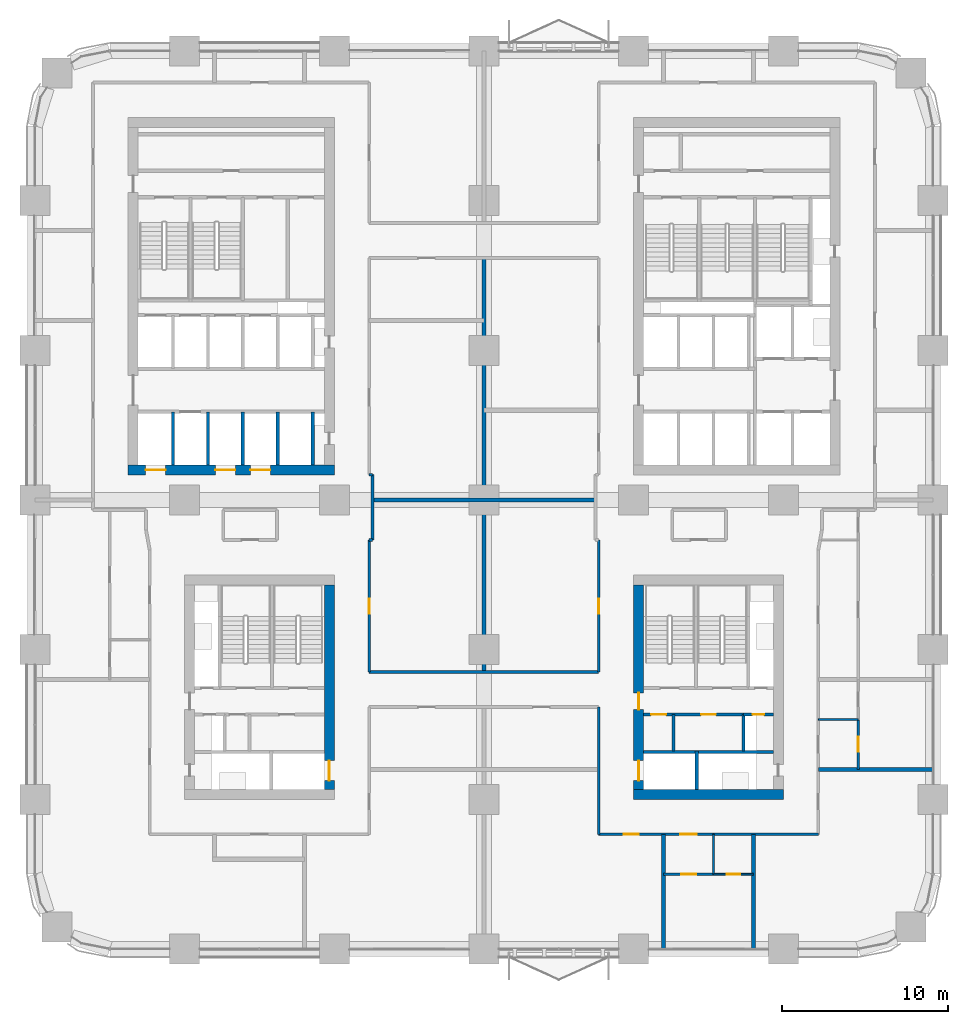
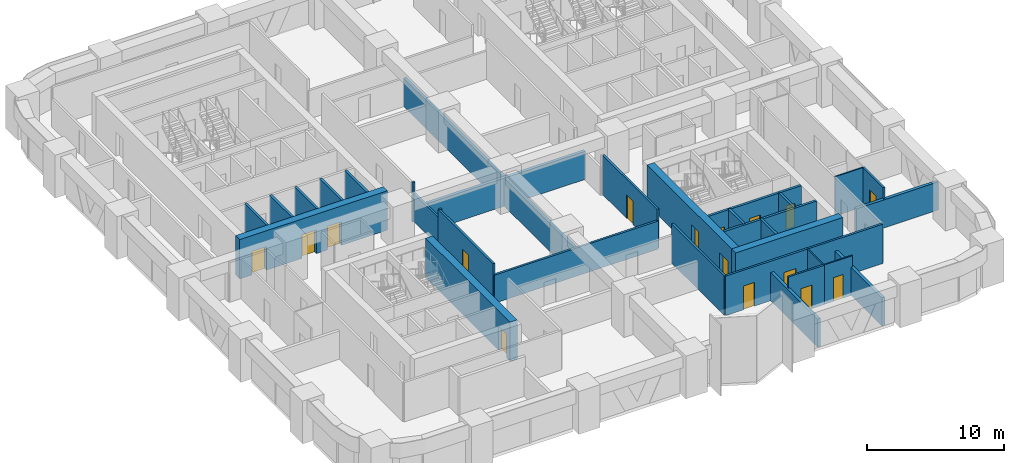
# One storey, part 14 of 22: 33 walls, 16 doors, 16 openings.
"""IFC4 building model written with IfcOpenShell, lengths in metres."""

from ifc_helpers import new_model, si_unit, direction, frame, frame_2d, origin, place, context, subcontext, project, spatial, rectangle, extrude, material, layer, layer_set, type_object, element, fill, save


model = new_model("IFC4")

# Units and contexts
model_context = context("Model", 3, precision=1e-05, world=origin(), true_north=direction((0.0, 1.0)))
body_context = subcontext(model_context, "Body", "Model", "MODEL_VIEW")
ifc_project = project(units=[si_unit("LENGTHUNIT", "METRE"), si_unit("AREAUNIT", "SQUARE_METRE"), si_unit("VOLUMEUNIT", "CUBIC_METRE"), si_unit("PLANEANGLEUNIT", "RADIAN"), si_unit("MASSUNIT", "GRAM", prefix="KILO")], contexts=[model_context])

# Site, building, storey
site_placement = place(None, origin())
site = spatial("IfcSite", under=ifc_project, at=site_placement, CompositionType="ELEMENT")
building_placement = place(site_placement, origin())
building = spatial("IfcBuilding", under=site, at=building_placement, Name="Tessera Arch", CompositionType="ELEMENT")
storey_placement = place(building_placement, frame((0.0, 0.0, 53.800048828125)))
storey = spatial("IfcBuildingStorey", under=building, at=storey_placement, Name="L11", CompositionType="ELEMENT", Elevation=53.800048828125)

# Wall
ifc_material_1 = material(Name="Gypsum board on steel stud", Category="steel")
ifc_layer_1 = layer(ifc_material_1, 0.125)
ifc_layer_set_1 = layer_set([ifc_layer_1], Name="Core partition 125 EI 60")
wall_type_1 = type_object("IfcWallType", Name="Core partition 125 EI 60", PredefinedType="PARTITIONING", material=ifc_layer_set_1)
wall_1_placement = place(storey_placement, frame((38.39990234375, 11.89990234375, 0.0), z_axis=(0.0, 0.0, 1.0), x_axis=(0.0, 1.0, 0.0)))
element("IfcWall", 1, at=wall_1_placement, inside=storey, type_object=wall_type_1, Name="L11 C3 partition wall 1", PredefinedType="PARTITIONING", context=body_context, shape_type="SweptSolid", body=[
    extrude(rectangle(XDim=2.2001953125, YDim=0.199951171875, at=frame_2d((1.10009765625, 0.0))), origin(), (0.0, 0.0, 1.0), 3.5),
])

# Wall, openings, doors
wall_2_placement = place(storey_placement, frame((36.60009765625, 14.10009765625, 0.0), z_axis=(0.0, 0.0, 1.0), x_axis=(1.0, 0.0, 0.0)))
wall_2 = element("IfcWall", 2, at=wall_2_placement, inside=storey, type_object=wall_type_1, Name="L11 C3 partition wall 9", PredefinedType="PARTITIONING", context=body_context, shape_type="SweptSolid", body=[
    extrude(rectangle(XDim=6.0, YDim=0.199951171875, at=frame_2d((3.0, 0.0))), origin(), (0.0, 0.0, 1.0), 3.5),
])
opening_1_placement = place(wall_2_placement, frame((0.449951171875, 0.0, 0.0)))
opening_1 = element("IfcOpeningElement", 3, at=opening_1_placement, cuts=wall_2, Name="Opening L11-C38", PredefinedType="OPENING", context=body_context, shape_type="SweptSolid", body=[
    extrude(rectangle(XDim=0.89990234375, YDim=2.10009765625, at=frame_2d((0.449951171875, 1.050048828125))), frame((0.0, 0.10986328125, 0.0), z_axis=(0.0, -1.0, 0.0), x_axis=(1.0, 0.0, 0.0)), (0.0, 0.0, 1.0), 0.219970703125),
])
opening_2_placement = place(wall_2_placement, frame((3.449951171875, 0.0, 0.0)))
opening_2 = element("IfcOpeningElement", 4, at=opening_2_placement, cuts=wall_2, Name="Opening L11-C39", PredefinedType="OPENING", context=body_context, shape_type="SweptSolid", body=[
    extrude(rectangle(XDim=0.89990234375, YDim=2.10009765625, at=frame_2d((0.449951171875, 1.050048828125))), frame((0.0, 0.10986328125, 0.0), z_axis=(0.0, -1.0, 0.0), x_axis=(1.0, 0.0, 0.0)), (0.0, 0.0, 1.0), 0.219970703125),
])
ifc_material_2 = material(Name="Steel door leaf", Category="steel")
door_type_1 = type_object("IfcDoorType", Name="Store door FD30S 900 x 2100", OperationType="SINGLE_SWING_LEFT", PredefinedType="DOOR", material=ifc_material_2)
door_1_placement = place(opening_1_placement, origin())
door_1 = element("IfcDoor", 5, at=door_1_placement, inside=storey, type_object=door_type_1, Name="L11 C3 door 8 C38 type D09", OperationType="SINGLE_SWING_LEFT", OverallHeight=2.10009765625, OverallWidth=0.89990234375, PredefinedType="DOOR", context=body_context, shape_type="SweptSolid", body=[
    extrude(rectangle(XDim=0.89990234375, YDim=2.10009765625, at=frame_2d((0.449951171875, 1.050048828125))), frame((0.0, 0.02490234375, 0.0), z_axis=(0.0, -1.0, 0.0), x_axis=(1.0, 0.0, 0.0)), (0.0, 0.0, 1.0), 0.050048828125),
])
fill(opening_1, door_1)
door_2_placement = place(opening_2_placement, origin())
door_2 = element("IfcDoor", 6, at=door_2_placement, inside=storey, type_object=door_type_1, Name="L11 C3 door 9 C39 type D09", OperationType="SINGLE_SWING_RIGHT", OverallHeight=2.10009765625, OverallWidth=0.89990234375, PredefinedType="DOOR", context=body_context, shape_type="SweptSolid", body=[
    extrude(rectangle(XDim=0.89990234375, YDim=2.10009765625, at=frame_2d((0.449951171875, 1.050048828125))), frame((0.0, 0.02490234375, 0.0), z_axis=(0.0, -1.0, 0.0), x_axis=(1.0, 0.0, 0.0)), (0.0, 0.0, 1.0), 0.050048828125),
])
fill(opening_2, door_2)

ifc_material_3 = material(Name="Concrete C70/85", Category="concrete")
ifc_layer_2 = layer(ifc_material_3, 0.60009765625)
ifc_layer_set_2 = layer_set([ifc_layer_2], Name="Core shell wall 600 C70-85")
wall_type_2 = type_object("IfcWallType", Name="Core shell wall 600 C70-85", PredefinedType="SHEAR", material=ifc_layer_set_2)
wall_3_placement = place(storey_placement, frame((5.60009765625, 28.800048828125, 0.0), z_axis=(0.0, 0.0, 1.0), x_axis=(1.0, 0.0, 0.0)))
wall_3 = element("IfcWall", 7, at=wall_3_placement, inside=storey, type_object=wall_type_2, Name="L11 C2 core wall S", PredefinedType="SHEAR", context=body_context, shape_type="SweptSolid", body=[
    extrude(rectangle(XDim=12.39990234375, YDim=0.60009765625, at=frame_2d((6.199951171875, 0.0))), origin(), (0.0, 0.0, 1.0), 3.5),
])
opening_3_placement = place(wall_3_placement, frame((1.050048828125, 0.0, 0.0)))
opening_3 = element("IfcOpeningElement", 8, at=opening_3_placement, cuts=wall_3, Name="Opening L11-C14", PredefinedType="OPENING", context=body_context, shape_type="SweptSolid", body=[
    extrude(rectangle(XDim=1.199951171875, YDim=2.10009765625, at=frame_2d((0.60009765625, 1.050048828125))), frame((0.0, 0.31005859375, 0.0), z_axis=(0.0, -1.0, 0.0), x_axis=(1.0, 0.0, 0.0)), (0.0, 0.0, 1.0), 0.6201171875),
])
opening_4_placement = place(wall_3_placement, frame((5.25, 0.0, 0.0)))
opening_4 = element("IfcOpeningElement", 9, at=opening_4_placement, cuts=wall_3, Name="Opening L11-C16", PredefinedType="OPENING", context=body_context, shape_type="SweptSolid", body=[
    extrude(rectangle(XDim=1.199951171875, YDim=2.10009765625, at=frame_2d((0.60009765625, 1.050048828125))), frame((0.0, 0.31005859375, 0.0), z_axis=(0.0, -1.0, 0.0), x_axis=(1.0, 0.0, 0.0)), (0.0, 0.0, 1.0), 0.6201171875),
])
opening_5_placement = place(wall_3_placement, frame((7.35009765625, 0.0, 0.0)))
opening_5 = element("IfcOpeningElement", 10, at=opening_5_placement, cuts=wall_3, Name="Opening L11-C17", PredefinedType="OPENING", context=body_context, shape_type="SweptSolid", body=[
    extrude(rectangle(XDim=1.199951171875, YDim=2.10009765625, at=frame_2d((0.60009765625, 1.050048828125))), frame((0.0, 0.31005859375, 0.0), z_axis=(0.0, -1.0, 0.0), x_axis=(1.0, 0.0, 0.0)), (0.0, 0.0, 1.0), 0.6201171875),
])
ifc_material_4 = material(Name="Stainless steel AISI 304", Category="steel")
door_type_2 = type_object("IfcDoorType", Name="Sliding landing door 1200 x 2100", OperationType="SLIDING_TO_LEFT", PredefinedType="DOOR", material=ifc_material_4)
door_3_placement = place(opening_3_placement, origin())
door_3 = element("IfcDoor", 11, at=door_3_placement, inside=storey, type_object=door_type_2, Name="L11 LR1 lift landing door C14 type LD", OperationType="SLIDING_TO_LEFT", OverallHeight=2.10009765625, OverallWidth=1.199951171875, PredefinedType="DOOR", context=body_context, shape_type="SweptSolid", body=[
    extrude(rectangle(XDim=1.199951171875, YDim=2.10009765625, at=frame_2d((0.60009765625, 1.050048828125))), frame((0.0, 0.02490234375, 0.0), z_axis=(0.0, -1.0, 0.0), x_axis=(1.0, 0.0, 0.0)), (0.0, 0.0, 1.0), 0.050048828125),
])
fill(opening_3, door_3)
door_4_placement = place(opening_4_placement, origin())
door_4 = element("IfcDoor", 12, at=door_4_placement, inside=storey, type_object=door_type_2, Name="L11 LR3 lift landing door C16 type LD", OperationType="SLIDING_TO_LEFT", OverallHeight=2.10009765625, OverallWidth=1.199951171875, PredefinedType="DOOR", context=body_context, shape_type="SweptSolid", body=[
    extrude(rectangle(XDim=1.199951171875, YDim=2.10009765625, at=frame_2d((0.60009765625, 1.050048828125))), frame((0.0, 0.02490234375, 0.0), z_axis=(0.0, -1.0, 0.0), x_axis=(1.0, 0.0, 0.0)), (0.0, 0.0, 1.0), 0.050048828125),
])
fill(opening_4, door_4)
door_5_placement = place(opening_5_placement, origin())
door_5 = element("IfcDoor", 13, at=door_5_placement, inside=storey, type_object=door_type_2, Name="L11 LR4 lift landing door C17 type LD", OperationType="SLIDING_TO_LEFT", OverallHeight=2.10009765625, OverallWidth=1.199951171875, PredefinedType="DOOR", context=body_context, shape_type="SweptSolid", body=[
    extrude(rectangle(XDim=1.199951171875, YDim=2.10009765625, at=frame_2d((0.60009765625, 1.050048828125))), frame((0.0, 0.02490234375, 0.0), z_axis=(0.0, -1.0, 0.0), x_axis=(1.0, 0.0, 0.0)), (0.0, 0.0, 1.0), 0.050048828125),
])
fill(opening_5, door_5)

# Wall
wall_4_placement = place(storey_placement, frame((36.0, 9.300048828125, 0.0), z_axis=(0.0, 0.0, 1.0), x_axis=(1.0, 0.0, 0.0)))
element("IfcWall", 14, at=wall_4_placement, inside=storey, type_object=wall_type_2, Name="L11 C3 core wall S", PredefinedType="SHEAR", context=body_context, shape_type="SweptSolid", body=[
    extrude(rectangle(XDim=9.0, YDim=0.60009765625, at=frame_2d((4.5, 0.0))), origin(), (0.0, 0.0, 1.0), 3.5),
])

# Wall, openings, doors
wall_5_placement = place(storey_placement, frame((36.300048828125, 9.60009765625, 0.0), z_axis=(0.0, 0.0, 1.0), x_axis=(0.0, 1.0, 0.0)))
wall_5 = element("IfcWall", 15, at=wall_5_placement, inside=storey, type_object=wall_type_2, Name="L11 C3 core wall W", PredefinedType="SHEAR", context=body_context, shape_type="SweptSolid", body=[
    extrude(rectangle(XDim=12.2998046875, YDim=0.60009765625, at=frame_2d((6.14990234375, 0.0))), origin(), (0.0, 0.0, 1.0), 3.5),
])
opening_6_placement = place(wall_5_placement, frame((0.52490234375, 0.0, 0.0)))
opening_6 = element("IfcOpeningElement", 16, at=opening_6_placement, cuts=wall_5, Name="Opening L11-C31", PredefinedType="OPENING", context=body_context, shape_type="SweptSolid", body=[
    extrude(rectangle(XDim=1.199951171875, YDim=2.10009765625, at=frame_2d((0.60009765625, 1.050048828125))), frame((0.0, 0.31005859375, 0.0), z_axis=(0.0, -1.0, 0.0), x_axis=(1.0, 0.0, 0.0)), (0.0, 0.0, 1.0), 0.6201171875),
])
opening_7_placement = place(wall_5_placement, frame((4.800048828125, 0.0, 0.0)))
opening_7 = element("IfcOpeningElement", 17, at=opening_7_placement, cuts=wall_5, Name="Opening L11-C37", PredefinedType="OPENING", context=body_context, shape_type="SweptSolid", body=[
    extrude(rectangle(XDim=1.0, YDim=2.10009765625, at=frame_2d((0.5, 1.050048828125))), frame((0.0, 0.31005859375, 0.0), z_axis=(0.0, -1.0, 0.0), x_axis=(1.0, 0.0, 0.0)), (0.0, 0.0, 1.0), 0.6201171875),
])
ifc_material_5 = material(Name="Steel door leaf", Category="steel")
door_type_3 = type_object("IfcDoorType", Name="Corridor door FD60 1000 x 2100", OperationType="SINGLE_SWING_LEFT", PredefinedType="DOOR", material=ifc_material_5)
door_6_placement = place(opening_7_placement, origin())
door_6 = element("IfcDoor", 18, at=door_6_placement, inside=storey, type_object=door_type_3, Name="L11 C3 door 7 C37 type D12", OperationType="SINGLE_SWING_LEFT", OverallHeight=2.10009765625, OverallWidth=1.0, PredefinedType="DOOR", context=body_context, shape_type="SweptSolid", body=[
    extrude(rectangle(XDim=1.0, YDim=2.10009765625, at=frame_2d((0.5, 1.050048828125))), frame((0.0, 0.02490234375, 0.0), z_axis=(0.0, -1.0, 0.0), x_axis=(1.0, 0.0, 0.0)), (0.0, 0.0, 1.0), 0.050048828125),
])
fill(opening_7, door_6)
door_7_placement = place(opening_6_placement, origin())
door_7 = element("IfcDoor", 19, at=door_7_placement, inside=storey, type_object=door_type_2, Name="L11 SV1 lift landing door C31 type LD", OperationType="SLIDING_TO_LEFT", OverallHeight=2.10009765625, OverallWidth=1.199951171875, PredefinedType="DOOR", context=body_context, shape_type="SweptSolid", body=[
    extrude(rectangle(XDim=1.199951171875, YDim=2.10009765625, at=frame_2d((0.60009765625, 1.050048828125))), frame((0.0, 0.02490234375, 0.0), z_axis=(0.0, -1.0, 0.0), x_axis=(1.0, 0.0, 0.0)), (0.0, 0.0, 1.0), 0.050048828125),
])
fill(opening_6, door_7)

# Wall, opening, door
wall_6_placement = place(storey_placement, frame((17.699951171875, 9.60009765625, 0.0), z_axis=(0.0, 0.0, 1.0), x_axis=(0.0, 1.0, 0.0)))
wall_6 = element("IfcWall", 20, at=wall_6_placement, inside=storey, type_object=wall_type_2, Name="L11 C4 core wall E", PredefinedType="SHEAR", context=body_context, shape_type="SweptSolid", body=[
    extrude(rectangle(XDim=12.2998046875, YDim=0.60009765625, at=frame_2d((6.14990234375, 0.0))), origin(), (0.0, 0.0, 1.0), 3.5),
])
opening_8_placement = place(wall_6_placement, frame((0.52490234375, 0.0, 0.0)))
opening_8 = element("IfcOpeningElement", 21, at=opening_8_placement, cuts=wall_6, Name="Opening L11-C40", PredefinedType="OPENING", context=body_context, shape_type="SweptSolid", body=[
    extrude(rectangle(XDim=1.199951171875, YDim=2.10009765625, at=frame_2d((0.60009765625, 1.050048828125))), frame((0.0, 0.31005859375, 0.0), z_axis=(0.0, -1.0, 0.0), x_axis=(1.0, 0.0, 0.0)), (0.0, 0.0, 1.0), 0.6201171875),
])
door_8_placement = place(opening_8_placement, origin())
door_8 = element("IfcDoor", 22, at=door_8_placement, inside=storey, type_object=door_type_2, Name="L11 SV3 lift landing door C40 type LD", OperationType="SLIDING_TO_LEFT", OverallHeight=2.10009765625, OverallWidth=1.199951171875, PredefinedType="DOOR", context=body_context, shape_type="SweptSolid", body=[
    extrude(rectangle(XDim=1.199951171875, YDim=2.10009765625, at=frame_2d((0.60009765625, 1.050048828125))), frame((0.0, 0.02490234375, 0.0), z_axis=(0.0, -1.0, 0.0), x_axis=(1.0, 0.0, 0.0)), (0.0, 0.0, 1.0), 0.050048828125),
])
fill(opening_8, door_8)

# Wall, openings, doors
ifc_material_6 = material(Name="Gypsum board on deep steel stud with mineral wool", Category="steel")
ifc_layer_3 = layer(ifc_material_6, 0.175048828125)
ifc_layer_set_3 = layer_set([ifc_layer_3], Name="Corridor wall 175 EI 60")
wall_type_3 = type_object("IfcWallType", Name="Corridor wall 175 EI 60", PredefinedType="PARTITIONING", material=ifc_layer_set_3)
wall_7_placement = place(storey_placement, frame((33.89990234375, 6.89990234375, 0.0), z_axis=(0.0, 0.0, 1.0), x_axis=(1.0, 0.0, 0.0)))
wall_7 = element("IfcWall", 23, at=wall_7_placement, inside=storey, type_object=wall_type_3, Name="L11 partition 2", PredefinedType="PARTITIONING", context=body_context, shape_type="SweptSolid", body=[
    extrude(rectangle(XDim=13.2001953125, YDim=0.175048828125, at=frame_2d((6.60009765625, 0.0))), origin(), (0.0, 0.0, 1.0), 3.5),
])
opening_9_placement = place(wall_7_placement, frame((4.89990234375, 0.0, 0.0)))
opening_9 = element("IfcOpeningElement", 24, at=opening_9_placement, cuts=wall_7, Name="Opening L11-D001", PredefinedType="OPENING", context=body_context, shape_type="SweptSolid", body=[
    extrude(rectangle(XDim=1.0, YDim=2.10009765625, at=frame_2d((0.5, 1.050048828125))), frame((0.0, 0.097412109375, 0.0), z_axis=(0.0, -1.0, 0.0), x_axis=(1.0, 0.0, 0.0)), (0.0, 0.0, 1.0), 0.195068359375),
])
opening_10_placement = place(wall_7_placement, frame((1.5, 0.0, 0.0)))
opening_10 = element("IfcOpeningElement", 25, at=opening_10_placement, cuts=wall_7, Name="Opening L11-D005", PredefinedType="OPENING", context=body_context, shape_type="SweptSolid", body=[
    extrude(rectangle(XDim=0.89990234375, YDim=2.10009765625, at=frame_2d((0.449951171875, 1.050048828125))), frame((0.0, 0.097412109375, 0.0), z_axis=(0.0, -1.0, 0.0), x_axis=(1.0, 0.0, 0.0)), (0.0, 0.0, 1.0), 0.195068359375),
])
ifc_material_7 = material(Name="Fire-rated door leaf")
door_type_4 = type_object("IfcDoorType", Name="Entrance door FD30S 1000 x 2100", OperationType="SINGLE_SWING_LEFT", PredefinedType="DOOR", material=ifc_material_7)
door_9_placement = place(opening_9_placement, origin())
door_9 = element("IfcDoor", 26, at=door_9_placement, inside=storey, type_object=door_type_4, Name="L11 door D001 type D03", OperationType="SINGLE_SWING_RIGHT", OverallHeight=2.10009765625, OverallWidth=1.0, PredefinedType="DOOR", context=body_context, shape_type="SweptSolid", body=[
    extrude(rectangle(XDim=1.0, YDim=2.10009765625, at=frame_2d((0.5, 1.050048828125))), frame((0.0, 0.02490234375, 0.0), z_axis=(0.0, -1.0, 0.0), x_axis=(1.0, 0.0, 0.0)), (0.0, 0.0, 1.0), 0.050048828125),
])
fill(opening_9, door_9)
ifc_material_8 = material(Name="Timber door leaf", Category="wood")
door_type_5 = type_object("IfcDoorType", Name="Room door 900 x 2100", OperationType="SINGLE_SWING_LEFT", PredefinedType="DOOR", material=ifc_material_8)
door_10_placement = place(opening_10_placement, origin())
door_10 = element("IfcDoor", 27, at=door_10_placement, inside=storey, type_object=door_type_5, Name="L11 door D005 type D01", OperationType="SINGLE_SWING_RIGHT", OverallHeight=2.10009765625, OverallWidth=0.89990234375, PredefinedType="DOOR", context=body_context, shape_type="SweptSolid", body=[
    extrude(rectangle(XDim=0.89990234375, YDim=2.10009765625, at=frame_2d((0.449951171875, 1.050048828125))), frame((0.0, 0.02490234375, 0.0), z_axis=(0.0, -1.0, 0.0), x_axis=(1.0, 0.0, 0.0)), (0.0, 0.0, 1.0), 0.050048828125),
])
fill(opening_10, door_10)

# Walls
wall_8_placement = place(storey_placement, frame((20.10009765625, 16.64990234375, 0.0), z_axis=(0.0, 0.0, 1.0), x_axis=(1.0, 0.0, 0.0)))
element("IfcWall", 28, at=wall_8_placement, inside=storey, type_object=wall_type_3, Name="L11 partition 4", PredefinedType="PARTITIONING", context=body_context, shape_type="SweptSolid", body=[
    extrude(rectangle(XDim=13.7998046875, YDim=0.175048828125, at=frame_2d((6.89990234375, 0.0))), origin(), (0.0, 0.0, 1.0), 2.5),
])
for number, where, z_axis, x_axis, name in (
    (29, (20.10009765625, 24.590087890625, 0.0), (0.0, 0.0, 1.0), (1.0, 0.0, 0.0), "L11 partition 5"),
    (30, (20.10009765625, 28.52001953125, 0.0), (0.0, 0.0, 1.0), (1.0, 0.0, 0.0), "L11 partition 13"),
):
    element("IfcWall", number, at=place(storey_placement, frame(where, z_axis=z_axis, x_axis=x_axis)), inside=storey, type_object=wall_type_3, Name=name, PredefinedType="PARTITIONING", context=body_context, shape_type="SweptSolid", body=[
        extrude(rectangle(XDim=0.199951171875, YDim=0.175048828125, at=frame_2d((0.10009765625, 0.0))), origin(), (0.0, 0.0, 1.0), 3.5),
    ])

# Wall, opening, door
wall_9_placement = place(storey_placement, frame((20.10009765625, 16.64990234375, 0.0), z_axis=(0.0, 0.0, 1.0), x_axis=(0.0, 1.0, 0.0)))
wall_9 = element("IfcWall", 31, at=wall_9_placement, inside=storey, type_object=wall_type_3, Name="L11 partition 25", PredefinedType="PARTITIONING", context=body_context, shape_type="SweptSolid", body=[
    extrude(rectangle(XDim=7.940185546875, YDim=0.175048828125, at=frame_2d((3.97021484375, 0.0))), origin(), (0.0, 0.0, 1.0), 3.5),
])
opening_11_placement = place(wall_9_placement, frame((3.52001953125, 0.0, 0.0)))
opening_11 = element("IfcOpeningElement", 32, at=opening_11_placement, cuts=wall_9, Name="Opening L11-D020", PredefinedType="OPENING", context=body_context, shape_type="SweptSolid", body=[
    extrude(rectangle(XDim=0.89990234375, YDim=2.10009765625, at=frame_2d((0.449951171875, 1.050048828125))), frame((0.0, 0.097412109375, 0.0), z_axis=(0.0, -1.0, 0.0), x_axis=(1.0, 0.0, 0.0)), (0.0, 0.0, 1.0), 0.195068359375),
])
door_11_placement = place(opening_11_placement, origin())
door_11 = element("IfcDoor", 33, at=door_11_placement, inside=storey, type_object=door_type_5, Name="L11 door D020 type D01", OperationType="SINGLE_SWING_LEFT", OverallHeight=2.10009765625, OverallWidth=0.89990234375, PredefinedType="DOOR", context=body_context, shape_type="SweptSolid", body=[
    extrude(rectangle(XDim=0.89990234375, YDim=2.10009765625, at=frame_2d((0.449951171875, 1.050048828125))), frame((0.0, 0.02490234375, 0.0), z_axis=(0.0, -1.0, 0.0), x_axis=(1.0, 0.0, 0.0)), (0.0, 0.0, 1.0), 0.050048828125),
])
fill(opening_11, door_11)

# Walls
wall_10_placement = place(storey_placement, frame((20.300048828125, 24.590087890625, 0.0), z_axis=(0.0, 0.0, 1.0), x_axis=(0.0, 1.0, 0.0)))
element("IfcWall", 34, at=wall_10_placement, inside=storey, type_object=wall_type_3, Name="L11 partition 28", PredefinedType="PARTITIONING", context=body_context, shape_type="SweptSolid", body=[
    extrude(rectangle(XDim=3.929931640625, YDim=0.175048828125, at=frame_2d((1.96484375, 0.0))), origin(), (0.0, 0.0, 1.0), 2.5),
])
wall_11_placement = place(storey_placement, frame((33.89990234375, 6.89990234375, 0.0), z_axis=(0.0, 0.0, 1.0), x_axis=(0.0, 1.0, 0.0)))
element("IfcWall", 35, at=wall_11_placement, inside=storey, type_object=wall_type_3, Name="L11 partition 30", PredefinedType="PARTITIONING", context=body_context, shape_type="SweptSolid", body=[
    extrude(rectangle(XDim=7.650146484375, YDim=0.175048828125, at=frame_2d((3.8251953125, 0.0))), origin(), (0.0, 0.0, 1.0), 3.5),
])

# Wall, opening, door
wall_12_placement = place(storey_placement, frame((33.89990234375, 16.64990234375, 0.0), z_axis=(0.0, 0.0, 1.0), x_axis=(0.0, 1.0, 0.0)))
wall_12 = element("IfcWall", 36, at=wall_12_placement, inside=storey, type_object=wall_type_3, Name="L11 partition 31", PredefinedType="PARTITIONING", context=body_context, shape_type="SweptSolid", body=[
    extrude(rectangle(XDim=7.940185546875, YDim=0.175048828125, at=frame_2d((3.97021484375, 0.0))), origin(), (0.0, 0.0, 1.0), 3.5),
])
opening_12_placement = place(wall_12_placement, frame((3.52001953125, 0.0, 0.0)))
opening_12 = element("IfcOpeningElement", 37, at=opening_12_placement, cuts=wall_12, Name="Opening L11-D021", PredefinedType="OPENING", context=body_context, shape_type="SweptSolid", body=[
    extrude(rectangle(XDim=0.89990234375, YDim=2.10009765625, at=frame_2d((0.449951171875, 1.050048828125))), frame((0.0, 0.097412109375, 0.0), z_axis=(0.0, -1.0, 0.0), x_axis=(1.0, 0.0, 0.0)), (0.0, 0.0, 1.0), 0.195068359375),
])
door_12_placement = place(opening_12_placement, origin())
door_12 = element("IfcDoor", 38, at=door_12_placement, inside=storey, type_object=door_type_5, Name="L11 door D021 type D01", OperationType="SINGLE_SWING_LEFT", OverallHeight=2.10009765625, OverallWidth=0.89990234375, PredefinedType="DOOR", context=body_context, shape_type="SweptSolid", body=[
    extrude(rectangle(XDim=0.89990234375, YDim=2.10009765625, at=frame_2d((0.449951171875, 1.050048828125))), frame((0.0, 0.02490234375, 0.0), z_axis=(0.0, -1.0, 0.0), x_axis=(1.0, 0.0, 0.0)), (0.0, 0.0, 1.0), 0.050048828125),
])
fill(opening_12, door_12)

ifc_material_9 = material(Name="Gypsum board on steel stud", Category="steel")
ifc_layer_4 = layer(ifc_material_9, 0.14990234375)
ifc_layer_set_4 = layer_set([ifc_layer_4], Name="Partition 150")
wall_type_4 = type_object("IfcWallType", Name="Partition 150", PredefinedType="PARTITIONING", material=ifc_layer_set_4)
wall_13_placement = place(storey_placement, frame((37.800048828125, 4.5, 0.0), z_axis=(0.0, 0.0, 1.0), x_axis=(1.0, 0.0, 0.0)))
wall_13 = element("IfcWall", 39, at=wall_13_placement, inside=storey, type_object=wall_type_4, Name="L11 partition 39", PredefinedType="PARTITIONING", context=body_context, shape_type="SweptSolid", body=[
    extrude(rectangle(XDim=3.0, YDim=0.14990234375, at=frame_2d((1.5, 0.0))), origin(), (0.0, 0.0, 1.0), 3.5),
])
opening_13_placement = place(wall_13_placement, frame((1.050048828125, 0.0, 0.0)))
opening_13 = element("IfcOpeningElement", 40, at=opening_13_placement, cuts=wall_13, Name="Opening L11-D002", PredefinedType="OPENING", context=body_context, shape_type="SweptSolid", body=[
    extrude(rectangle(XDim=0.89990234375, YDim=2.10009765625, at=frame_2d((0.449951171875, 1.050048828125))), frame((0.0, 0.0849609375, 0.0), z_axis=(0.0, -1.0, 0.0), x_axis=(1.0, 0.0, 0.0)), (0.0, 0.0, 1.0), 0.169921875),
])
door_13_placement = place(opening_13_placement, origin())
door_13 = element("IfcDoor", 41, at=door_13_placement, inside=storey, type_object=door_type_5, Name="L11 door D002 type D01", OperationType="SINGLE_SWING_LEFT", OverallHeight=2.10009765625, OverallWidth=0.89990234375, PredefinedType="DOOR", context=body_context, shape_type="SweptSolid", body=[
    extrude(rectangle(XDim=0.89990234375, YDim=2.10009765625, at=frame_2d((0.449951171875, 1.050048828125))), frame((0.0, 0.02490234375, 0.0), z_axis=(0.0, -1.0, 0.0), x_axis=(1.0, 0.0, 0.0)), (0.0, 0.0, 1.0), 0.050048828125),
])
fill(opening_13, door_13)

wall_14_placement = place(storey_placement, frame((49.5, 10.800048828125, 0.0), z_axis=(0.0, 0.0, 1.0), x_axis=(0.0, 1.0, 0.0)))
wall_14 = element("IfcWall", 42, at=wall_14_placement, inside=storey, type_object=wall_type_4, Name="L11 partition 41", PredefinedType="PARTITIONING", context=body_context, shape_type="SweptSolid", body=[
    extrude(rectangle(XDim=3.0, YDim=0.14990234375, at=frame_2d((1.5, 0.0))), origin(), (0.0, 0.0, 1.0), 3.5),
])
opening_14_placement = place(wall_14_placement, frame((1.050048828125, 0.0, 0.0)))
opening_14 = element("IfcOpeningElement", 43, at=opening_14_placement, cuts=wall_14, Name="Opening L11-D012", PredefinedType="OPENING", context=body_context, shape_type="SweptSolid", body=[
    extrude(rectangle(XDim=0.89990234375, YDim=2.10009765625, at=frame_2d((0.449951171875, 1.050048828125))), frame((0.0, 0.0849609375, 0.0), z_axis=(0.0, -1.0, 0.0), x_axis=(1.0, 0.0, 0.0)), (0.0, 0.0, 1.0), 0.169921875),
])
door_14_placement = place(opening_14_placement, origin())
door_14 = element("IfcDoor", 44, at=door_14_placement, inside=storey, type_object=door_type_5, Name="L11 door D012 type D01", OperationType="SINGLE_SWING_LEFT", OverallHeight=2.10009765625, OverallWidth=0.89990234375, PredefinedType="DOOR", context=body_context, shape_type="SweptSolid", body=[
    extrude(rectangle(XDim=0.89990234375, YDim=2.10009765625, at=frame_2d((0.449951171875, 1.050048828125))), frame((0.0, 0.02490234375, 0.0), z_axis=(0.0, -1.0, 0.0), x_axis=(1.0, 0.0, 0.0)), (0.0, 0.0, 1.0), 0.050048828125),
])
fill(opening_14, door_14)

# Walls
ifc_material_10 = material(Name="Double gypsum board on twin steel stud with acoustic mineral wool", Category="steel")
ifc_layer_5 = layer(ifc_material_10, 0.25)
ifc_layer_set_5 = layer_set([ifc_layer_5], Name="Party wall 250 EI 60")
wall_type_5 = type_object("IfcWallType", Name="Party wall 250 EI 60", PredefinedType="PARTITIONING", material=ifc_layer_set_5)
wall_15_placement = place(storey_placement, frame((47.10009765625, 10.800048828125, 0.0), z_axis=(0.0, 0.0, 1.0), x_axis=(1.0, 0.0, 0.0)))
element("IfcWall", 45, at=wall_15_placement, inside=storey, type_object=wall_type_5, Name="L11 partition 45", PredefinedType="PARTITIONING", context=body_context, shape_type="SweptSolid", body=[
    extrude(rectangle(XDim=6.89990234375, YDim=0.25, at=frame_2d((3.449951171875, 0.0))), origin(), (0.0, 0.0, 1.0), 2.5),
])
wall_16_placement = place(storey_placement, frame((20.300048828125, 27.0, 0.0), z_axis=(0.0, 0.0, 1.0), x_axis=(1.0, 0.0, 0.0)))
element("IfcWall", 46, at=wall_16_placement, inside=storey, type_object=wall_type_5, Name="L11 partition 49", PredefinedType="PARTITIONING", context=body_context, shape_type="SweptSolid", body=[
    extrude(rectangle(XDim=13.39990234375, YDim=0.25, at=frame_2d((6.699951171875, 0.0))), origin(), (0.0, 0.0, 1.0), 2.5),
])
wall_17_placement = place(storey_placement, frame((27.0, 16.64990234375, 0.0), z_axis=(0.0, 0.0, 1.0), x_axis=(0.0, 1.0, 0.0)))
element("IfcWall", 47, at=wall_17_placement, inside=storey, type_object=wall_type_5, Name="L11 partition 62", PredefinedType="PARTITIONING", context=body_context, shape_type="SweptSolid", body=[
    extrude(rectangle(XDim=24.900146484375, YDim=0.25, at=frame_2d((12.4501953125, 0.0))), origin(), (0.0, 0.0, 1.0), 2.5),
])
for number, where, z_axis, x_axis, name in (
    (48, (37.800048828125, 0.0, 0.0), (0.0, 0.0, 1.0), (0.0, 1.0, 0.0), "L11 partition 64"),
    (49, (43.199951171875, 0.0, 0.0), (0.0, 0.0, 1.0), (0.0, 1.0, 0.0), "L11 partition 66"),
):
    element("IfcWall", number, at=place(storey_placement, frame(where, z_axis=z_axis, x_axis=x_axis)), inside=storey, type_object=wall_type_5, Name=name, PredefinedType="PARTITIONING", context=body_context, shape_type="SweptSolid", body=[
        extrude(rectangle(XDim=6.89990234375, YDim=0.25, at=frame_2d((3.449951171875, 0.0))), origin(), (0.0, 0.0, 1.0), 2.5),
    ])
ifc_material_11 = material(Name="Concrete C40/50", Category="concrete")
ifc_layer_6 = layer(ifc_material_11, 0.199951171875)
ifc_layer_set_6 = layer_set([ifc_layer_6], Name="Shaft wall 200 EI 120")
wall_type_6 = type_object("IfcWallType", Name="Shaft wall 200 EI 120", PredefinedType="SOLIDWALL", material=ifc_layer_set_6)
for number, where, z_axis, x_axis, name in (
    (50, (8.300048828125, 29.10009765625, 0.0), (0.0, 0.0, 1.0), (0.0, 1.0, 0.0), "L11 C2 shaft wall 1"),
    (51, (10.39990234375, 29.10009765625, 0.0), (0.0, 0.0, 1.0), (0.0, 1.0, 0.0), "L11 C2 shaft wall 5"),
    (52, (12.5, 29.10009765625, 0.0), (0.0, 0.0, 1.0), (0.0, 1.0, 0.0), "L11 C2 shaft wall 7"),
    (53, (14.60009765625, 29.10009765625, 0.0), (0.0, 0.0, 1.0), (0.0, 1.0, 0.0), "L11 C2 shaft wall 11"),
    (54, (16.699951171875, 29.10009765625, 0.0), (0.0, 0.0, 1.0), (0.0, 1.0, 0.0), "L11 C2 shaft wall 14"),
):
    element("IfcWall", number, at=place(storey_placement, frame(where, z_axis=z_axis, x_axis=x_axis)), inside=storey, type_object=wall_type_6, Name=name, PredefinedType="SOLIDWALL", context=body_context, shape_type="SweptSolid", body=[
        extrude(rectangle(XDim=3.199951171875, YDim=0.199951171875, at=frame_2d((1.60009765625, 0.0))), origin(), (0.0, 0.0, 1.0), 3.5),
    ])
wall_18_placement = place(storey_placement, frame((39.800048828125, 9.60009765625, 0.0), z_axis=(0.0, 0.0, 1.0), x_axis=(0.0, 1.0, 0.0)))
element("IfcWall", 55, at=wall_18_placement, inside=storey, type_object=wall_type_6, Name="L11 C3 shaft wall 4", PredefinedType="SOLIDWALL", context=body_context, shape_type="SweptSolid", body=[
    extrude(rectangle(XDim=2.2998046875, YDim=0.199951171875, at=frame_2d((1.14990234375, 0.0))), origin(), (0.0, 0.0, 1.0), 3.5),
])
wall_19_placement = place(storey_placement, frame((42.60009765625, 11.89990234375, 0.0), z_axis=(0.0, 0.0, 1.0), x_axis=(0.0, 1.0, 0.0)))
element("IfcWall", 56, at=wall_19_placement, inside=storey, type_object=wall_type_6, Name="L11 C3 shaft wall 5", PredefinedType="SOLIDWALL", context=body_context, shape_type="SweptSolid", body=[
    extrude(rectangle(XDim=2.2001953125, YDim=0.199951171875, at=frame_2d((1.10009765625, 0.0))), origin(), (0.0, 0.0, 1.0), 3.5),
])
wall_20_placement = place(storey_placement, frame((36.60009765625, 11.85009765625, 0.0), z_axis=(0.0, 0.0, 1.0), x_axis=(1.0, 0.0, 0.0)))
element("IfcWall", 57, at=wall_20_placement, inside=storey, type_object=wall_type_6, Name="L11 C3 shaft wall 8", PredefinedType="SOLIDWALL", context=body_context, shape_type="SweptSolid", body=[
    extrude(rectangle(XDim=7.7998046875, YDim=0.199951171875, at=frame_2d((3.89990234375, 0.0))), origin(), (0.0, 0.0, 1.0), 3.5),
])

# Wall, opening, door
wall_21_placement = place(storey_placement, frame((42.60009765625, 14.10009765625, 0.0), z_axis=(0.0, 0.0, 1.0), x_axis=(1.0, 0.0, 0.0)))
wall_21 = element("IfcWall", 58, at=wall_21_placement, inside=storey, type_object=wall_type_6, Name="L11 C3 shaft wall 10", PredefinedType="SOLIDWALL", context=body_context, shape_type="SweptSolid", body=[
    extrude(rectangle(XDim=1.7998046875, YDim=0.199951171875, at=frame_2d((0.89990234375, 0.0))), origin(), (0.0, 0.0, 1.0), 3.5),
])
opening_15_placement = place(wall_21_placement, frame((0.550048828125, 0.0, 0.0)))
opening_15 = element("IfcOpeningElement", 59, at=opening_15_placement, cuts=wall_21, Name="Opening L11-C35", PredefinedType="OPENING", context=body_context, shape_type="SweptSolid", body=[
    extrude(rectangle(XDim=0.699951171875, YDim=2.10009765625, at=frame_2d((0.35009765625, 1.050048828125))), frame((0.0, 0.10986328125, 0.0), z_axis=(0.0, -1.0, 0.0), x_axis=(1.0, 0.0, 0.0)), (0.0, 0.0, 1.0), 0.219970703125),
])
ifc_material_12 = material(Name="Steel door leaf", Category="steel")
door_type_6 = type_object("IfcDoorType", Name="Service shaft door FD60 700 x 2100", OperationType="SINGLE_SWING_LEFT", PredefinedType="DOOR", material=ifc_material_12)
door_15_placement = place(opening_15_placement, origin())
door_15 = element("IfcDoor", 60, at=door_15_placement, inside=storey, type_object=door_type_6, Name="L11 C3 door 5 C35 type D07", OperationType="SINGLE_SWING_RIGHT", OverallHeight=2.10009765625, OverallWidth=0.699951171875, PredefinedType="DOOR", context=body_context, shape_type="SweptSolid", body=[
    extrude(rectangle(XDim=0.699951171875, YDim=2.10009765625, at=frame_2d((0.35009765625, 1.050048828125))), frame((0.0, 0.02490234375, 0.0), z_axis=(0.0, -1.0, 0.0), x_axis=(1.0, 0.0, 0.0)), (0.0, 0.0, 1.0), 0.050048828125),
])
fill(opening_15, door_15)

ifc_material_13 = material(Name="Moisture-resistant board on pre-plumbed steel stud", Category="steel")
ifc_layer_7 = layer(ifc_material_13, 0.10009765625)
ifc_layer_set_7 = layer_set([ifc_layer_7], Name="Wet wall 100")
wall_type_7 = type_object("IfcWallType", Name="Wet wall 100", PredefinedType="PARTITIONING", material=ifc_layer_set_7)
wall_22_placement = place(storey_placement, frame((40.800048828125, 4.5, 0.0), z_axis=(0.0, 0.0, 1.0), x_axis=(1.0, 0.0, 0.0)))
wall_22 = element("IfcWall", 61, at=wall_22_placement, inside=storey, type_object=wall_type_7, Name="L11 partition 68", PredefinedType="PARTITIONING", context=body_context, shape_type="SweptSolid", body=[
    extrude(rectangle(XDim=2.39990234375, YDim=0.10009765625, at=frame_2d((1.199951171875, 0.0))), origin(), (0.0, 0.0, 1.0), 3.5),
])
opening_16_placement = place(wall_22_placement, frame((0.800048828125, 0.0, 0.0)))
opening_16 = element("IfcOpeningElement", 62, at=opening_16_placement, cuts=wall_22, Name="Opening L11-D003", PredefinedType="OPENING", context=body_context, shape_type="SweptSolid", body=[
    extrude(rectangle(XDim=0.800048828125, YDim=2.10009765625, at=frame_2d((0.39990234375, 1.050048828125))), frame((0.0, 0.06005859375, 0.0), z_axis=(0.0, -1.0, 0.0), x_axis=(1.0, 0.0, 0.0)), (0.0, 0.0, 1.0), 0.1201171875),
])
ifc_material_14 = material(Name="Timber door leaf", Category="wood")
door_type_7 = type_object("IfcDoorType", Name="En-suite door 800 x 2100", OperationType="SINGLE_SWING_LEFT", PredefinedType="DOOR", material=ifc_material_14)
door_16_placement = place(opening_16_placement, origin())
door_16 = element("IfcDoor", 63, at=door_16_placement, inside=storey, type_object=door_type_7, Name="L11 door D003 type D02", OperationType="SINGLE_SWING_RIGHT", OverallHeight=2.10009765625, OverallWidth=0.800048828125, PredefinedType="DOOR", context=body_context, shape_type="SweptSolid", body=[
    extrude(rectangle(XDim=0.800048828125, YDim=2.10009765625, at=frame_2d((0.39990234375, 1.050048828125))), frame((0.0, 0.02490234375, 0.0), z_axis=(0.0, -1.0, 0.0), x_axis=(1.0, 0.0, 0.0)), (0.0, 0.0, 1.0), 0.050048828125),
])
fill(opening_16, door_16)

# Walls
for number, where, z_axis, x_axis, name in (
    (64, (47.10009765625, 13.800048828125, 0.0), (0.0, 0.0, 1.0), (1.0, 0.0, 0.0), "L11 partition 69"),
    (65, (40.800048828125, 4.5, 0.0), (0.0, 0.0, 1.0), (0.0, 1.0, 0.0), "L11 partition 73"),
):
    element("IfcWall", number, at=place(storey_placement, frame(where, z_axis=z_axis, x_axis=x_axis)), inside=storey, type_object=wall_type_7, Name=name, PredefinedType="PARTITIONING", context=body_context, shape_type="SweptSolid", body=[
        extrude(rectangle(XDim=2.39990234375, YDim=0.10009765625, at=frame_2d((1.199951171875, 0.0))), origin(), (0.0, 0.0, 1.0), 3.5),
    ])

save(model, "model.ifc")
